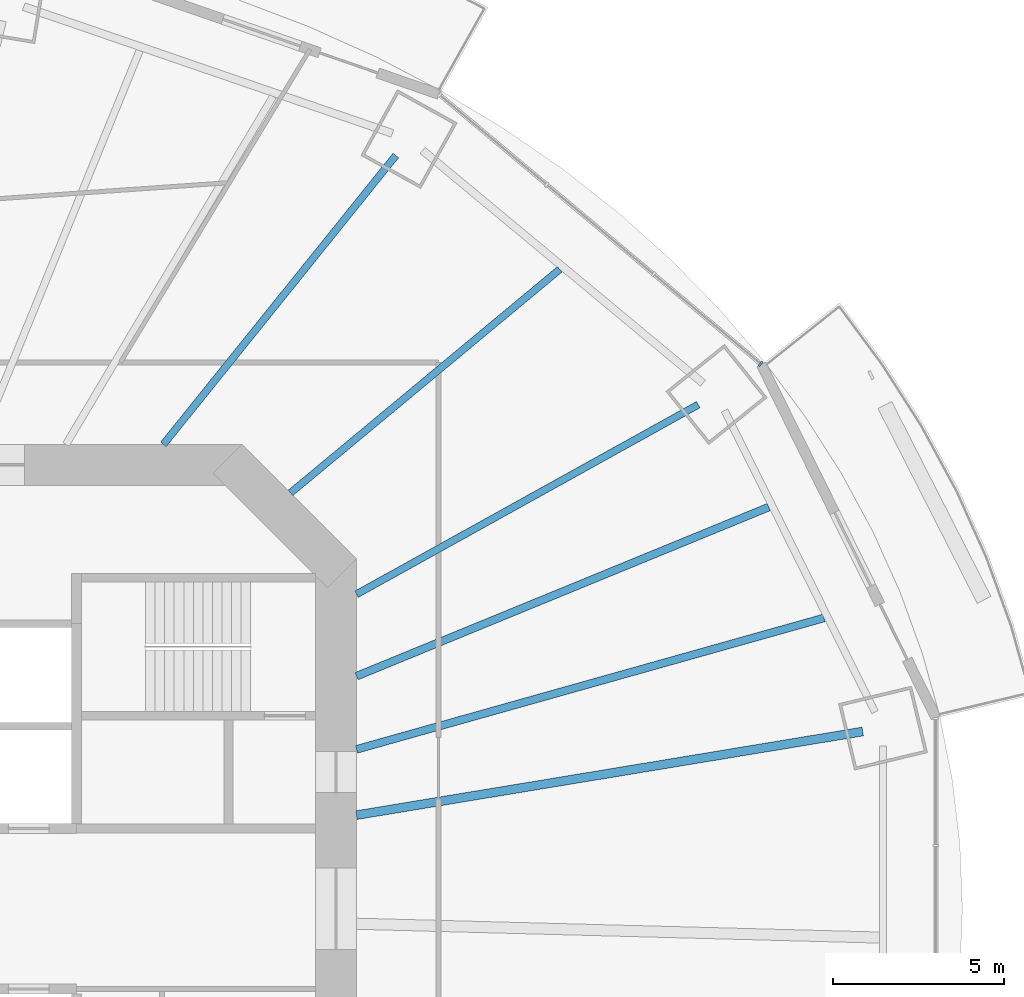
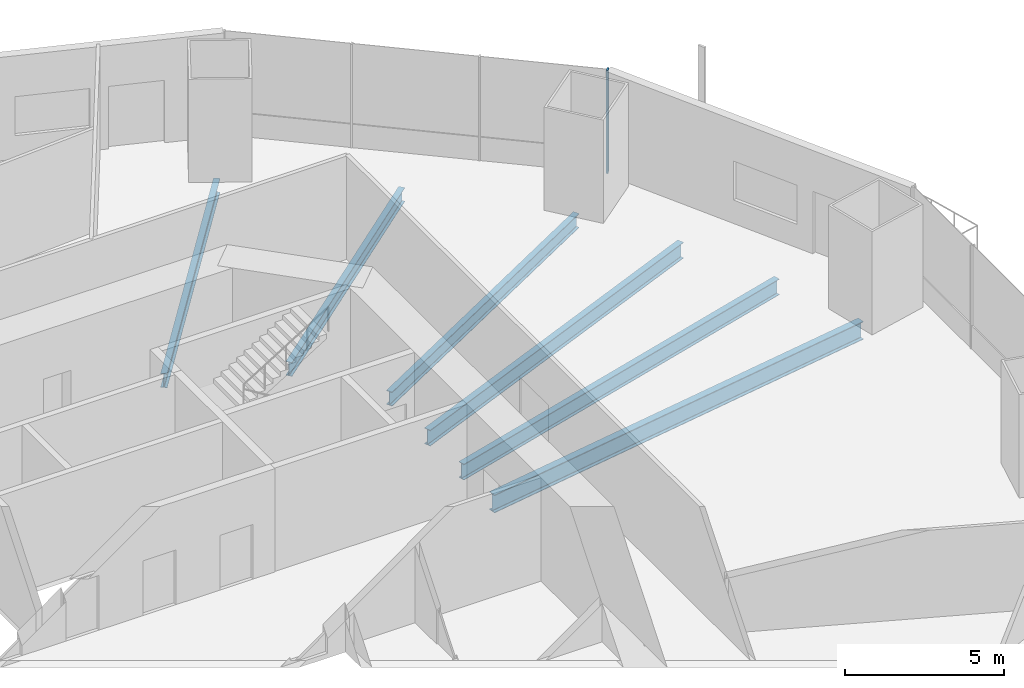
# One storey, part 8 of 22: 6 beams, 1 member, 1 element without a shape of its own.
"""IFC4 building model written with IfcOpenShell, lengths in metres."""

import ifcopenshell
import ifcopenshell.guid

model = None  # the IFC model being written
_history = None  # IfcOwnerHistory: only IFC2X3 demands one
_inside = {}  # id of a spatial element -> (the spatial element, [elements in it])
_under = {}  # id of a project, library or spatial element -> (it, [spatial elements below it])
_declared = {}  # id of a project -> (the project, [libraries it declares])
_typed = {}  # id of a type object -> (the type object, [elements of that type])
_made_of = {}  # id of a material, layer set ... -> (it, [elements and type objects made of it])


def new_model(schema):
    """Start an empty IFC model of exactly this schema.

    Asked for "IFC4X3", IfcOpenShell would pick the latest addendum, in which some entities
    have other attributes; the version numbers below select the first issue.
    IFC2X3 requires an IfcOwnerHistory on every rooted entity: one is made here for all.
    """
    global model, _history
    if schema == "IFC4X3":
        model = ifcopenshell.file(schema_version=(4, 3, 0, 0))
    else:
        model = ifcopenshell.file(schema=schema)
    _inside.clear()
    _under.clear()
    _declared.clear()
    _typed.clear()
    _made_of.clear()
    _history = None
    if model.schema == "IFC2X3":
        org = make("IfcOrganization", Name="unknown")
        user = make(
            "IfcPersonAndOrganization",
            ThePerson=make("IfcPerson", FamilyName="unknown"),
            TheOrganization=org,
        )
        app = make(
            "IfcApplication",
            ApplicationDeveloper=org,
            Version="unknown",
            ApplicationFullName="unknown",
            ApplicationIdentifier="unknown",
        )
        _history = make(
            "IfcOwnerHistory",
            OwningUser=user,
            OwningApplication=app,
            ChangeAction="ADDED",
            CreationDate=0,
        )
    return model


def make(cls, **values):
    """One entity of the class cls with the attributes given. An attribute that is None is left unset."""
    return model.create_entity(
        cls, **{name: value for name, value in values.items() if value is not None}
    )


def rooted(cls, **values):
    """An entity with a GlobalId (a new one), such as an element, a storey or a relation."""
    return make(cls, GlobalId=ifcopenshell.guid.new(), OwnerHistory=_history, **values)


def si_unit(unit_type, name, prefix=None):
    """IfcSIUnit, for example si_unit("LENGTHUNIT", "METRE", prefix="MILLI")."""
    return make("IfcSIUnit", UnitType=unit_type, Prefix=prefix, Name=name)


def assignment(units):
    """IfcUnitAssignment: the units of a project."""
    return None if units is None else make("IfcUnitAssignment", Units=units)


def point(xyz):
    """IfcCartesianPoint."""
    return None if xyz is None else make("IfcCartesianPoint", Coordinates=xyz)


def direction(xyz):
    """IfcDirection."""
    return None if xyz is None else make("IfcDirection", DirectionRatios=xyz)


def frame(location, z_axis=None, x_axis=None):
    """IfcAxis2Placement3D, a coordinate frame: its origin and axes. An axis left out is left unset."""
    return make(
        "IfcAxis2Placement3D",
        Location=point(location),
        Axis=direction(z_axis),
        RefDirection=direction(x_axis),
    )


def frame_2d(location, x_axis=None):
    """IfcAxis2Placement2D, a coordinate frame in the plane: its origin and x axis."""
    return make(
        "IfcAxis2Placement2D", Location=point(location), RefDirection=direction(x_axis)
    )


def origin():
    """The frame at (0, 0, 0) with its axes left unset."""
    return frame((0.0, 0.0, 0.0))


def origin_2d():
    """The frame at (0, 0) in the plane with its x axis left unset."""
    return frame_2d((0.0, 0.0))


def place(relative_to, where):
    """IfcLocalPlacement: puts the frame where relative to a parent placement (None: the world)."""
    return make(
        "IfcLocalPlacement", PlacementRelTo=relative_to, RelativePlacement=where
    )


def context(
    kind, dimensions, precision=None, world=None, true_north=None, identifier=None
):
    """IfcGeometricRepresentationContext, for example the 3D "Model" context."""
    return make(
        "IfcGeometricRepresentationContext",
        ContextIdentifier=identifier,
        ContextType=kind,
        CoordinateSpaceDimension=dimensions,
        Precision=precision,
        WorldCoordinateSystem=world,
        TrueNorth=true_north,
    )


def subcontext(parent, identifier, kind, view, scale=None):
    """IfcGeometricRepresentationSubContext, for example "Body" below "Model"."""
    return make(
        "IfcGeometricRepresentationSubContext",
        ContextIdentifier=identifier,
        ContextType=kind,
        ParentContext=parent,
        TargetScale=scale,
        TargetView=view,
    )


def project(units=None, contexts=None):
    """IfcProject with its units and contexts."""
    return rooted(
        "IfcProject",
        Name="project",
        RepresentationContexts=contexts,
        UnitsInContext=assignment(units),
    )


def spatial(cls, under=None, at=None, **own):
    """A site, building, storey or space (cls), placed at a placement, below another one or the project."""
    s = rooted(cls, ObjectPlacement=at, **own)
    if under is not None:
        _under.setdefault(under.id(), (under, []))[1].append(s)
    return s


def profile(cls, at=None, kind="AREA", **sizes):
    """A parametric profile (cls). Its sizes go by their IFC names, for example OverallWidth=200.0."""
    return make(cls, ProfileType=kind, Position=at, **sizes)


def rectangle(**sizes):
    """IfcRectangleProfileDef."""
    return profile("IfcRectangleProfileDef", **sizes)


def i_section(**sizes):
    """IfcIShapeProfileDef."""
    return profile("IfcIShapeProfileDef", **sizes)


def extrude(swept, where, along, depth):
    """IfcExtrudedAreaSolid: the profile swept, set in the frame where, extruded along a direction by depth."""
    return make(
        "IfcExtrudedAreaSolid",
        SweptArea=swept,
        Position=where,
        ExtrudedDirection=direction(along),
        Depth=depth,
    )


def shape(context_of_items, identifier, shape_type, items):
    """IfcShapeRepresentation: the items that make up one representation, for example the "Body"."""
    return make(
        "IfcShapeRepresentation",
        ContextOfItems=context_of_items,
        RepresentationIdentifier=identifier,
        RepresentationType=shape_type,
        Items=items,
    )


def material(Name=None, Category=None):
    """IfcMaterial."""
    return make("IfcMaterial", Name=Name, Category=Category)


def material_profile(
    of_material, cross_section, Name=None, Category=None, Priority=None
):
    """IfcMaterialProfile: a cross section and its material."""
    return make(
        "IfcMaterialProfile",
        Name=Name,
        Material=of_material,
        Profile=cross_section,
        Priority=Priority,
        Category=Category,
    )


def profile_set(profiles, Name=None, composite=None):
    """IfcMaterialProfileSet."""
    return make(
        "IfcMaterialProfileSet",
        Name=Name,
        MaterialProfiles=profiles,
        CompositeProfile=composite,
    )


def made_of(thing, what):
    """Note that an element or type object is made of a material, layer set ...; save() writes the relation."""
    if what is not None:
        _made_of.setdefault(what.id(), (what, []))[1].append(thing)
    return thing


def type_object(cls, material=None, **own):
    """A type object (cls), such as IfcWallType, which elements share."""
    return made_of(rooted(cls, **own), material)


def element(
    cls,
    number,
    at=None,
    inside=None,
    cuts=None,
    type_object=None,
    material=None,
    context=None,
    identifier="Body",
    shape_type=None,
    held_by="IfcProductDefinitionShape",
    body=None,
    shapes=None,
    **own,
):
    """One element of the class cls, such as IfcWall. Its Tag is "e" and its number.

    at: its placement. inside: the storey or other place that contains it. cuts: it is an
    opening in that element (IfcRelVoidsElement). A single representation is given by context,
    identifier, shape_type and body (its items); several are given by shapes. held_by: the class
    of the entity that holds the representations. save() writes the other relations.
    """
    e = rooted(cls, Tag="e%d" % number, ObjectPlacement=at, **own)
    if body is not None:
        shapes = [shape(context, identifier, shape_type, body)]
    if shapes is not None:
        e.Representation = make(held_by, Representations=shapes)
    if inside is not None:
        _inside.setdefault(inside.id(), (inside, []))[1].append(e)
    if cuts is not None:
        rooted(
            "IfcRelVoidsElement", RelatingBuildingElement=cuts, RelatedOpeningElement=e
        )
    if type_object is not None:
        _typed.setdefault(type_object.id(), (type_object, []))[1].append(e)
    return made_of(e, material)


def aggregate(whole, parts):
    """IfcRelAggregates: a whole, such as a stair, and the parts it consists of."""
    return rooted("IfcRelAggregates", RelatingObject=whole, RelatedObjects=parts)


def save(model, path):
    """Write the relations noted so far, then the file.

    IfcRelAggregates (storeys below a building ...), IfcRelContainedInSpatialStructure (elements
    in a storey), IfcRelDefinesByType, IfcRelAssociatesMaterial and IfcRelDeclares: one each for
    every whole, place, type object, material and project.
    """
    for whole, parts in _under.values():
        aggregate(whole, parts)
    for where, things in _inside.values():
        rooted(
            "IfcRelContainedInSpatialStructure",
            RelatedElements=things,
            RelatingStructure=where,
        )
    for kind, things in _typed.values():
        rooted("IfcRelDefinesByType", RelatedObjects=things, RelatingType=kind)
    for what, things in _made_of.values():
        rooted("IfcRelAssociatesMaterial", RelatedObjects=things, RelatingMaterial=what)
    for by, libraries in _declared.values():
        rooted("IfcRelDeclares", RelatingContext=by, RelatedDefinitions=libraries)
    model.write(path)


model = new_model("IFC4")

# Units and contexts
model_context = context("Model", 3, precision=1e-05, world=origin(), true_north=direction((0.0, 1.0)))
body_context = subcontext(model_context, "Body", "Model", "MODEL_VIEW")
ifc_project = project(units=[si_unit("LENGTHUNIT", "METRE"), si_unit("AREAUNIT", "SQUARE_METRE"), si_unit("VOLUMEUNIT", "CUBIC_METRE"), si_unit("PLANEANGLEUNIT", "RADIAN"), si_unit("MASSUNIT", "GRAM", prefix="KILO")], contexts=[model_context])

# Site, building, storey
site_placement = place(None, origin())
site = spatial("IfcSite", under=ifc_project, at=site_placement, CompositionType="ELEMENT")
building_placement = place(site_placement, origin())
building = spatial("IfcBuilding", under=site, at=building_placement, Name="Marenthal Gate Tower", CompositionType="ELEMENT")
storey_placement = place(building_placement, frame((0.0, 0.0, 107.699951171875)))
storey = spatial("IfcBuildingStorey", under=building, at=storey_placement, Name="L22", CompositionType="ELEMENT", Elevation=107.699951171875)

# Curtain wall, member
ifc_material_1 = material(Name="Aluminium and glass", Category="aluminium")
curtain_wall_type = type_object("IfcCurtainWallType", Name="Curtain wall typical low", PredefinedType="NOTDEFINED", material=ifc_material_1)
curtain_wall_placement = place(storey_placement, origin())
curtain_wall = element("IfcCurtainWall", 1, at=curtain_wall_placement, inside=storey, type_object=curtain_wall_type, Name="Curtain wall L22 bay 2", PredefinedType="NOTDEFINED")
ifc_material_2 = material(Name="Aluminium", Category="aluminium")
ifc_material_profile_1 = material_profile(ifc_material_2, rectangle(XDim=0.159912109375, YDim=0.06005859375, at=origin_2d()), Name="60x160 aluminium mullion")
ifc_profile_set_1 = profile_set([ifc_material_profile_1], Name="Aluminium")
member_type = type_object("IfcMemberType", Name="Mullion 60x160 typical low", PredefinedType="MULLION", material=ifc_profile_set_1)
member_placement = place(storey_placement, frame((28.434814453125, 15.95751953125, 0.0), z_axis=(0.0, 0.0, 1.0), x_axis=(-0.642377082487, -0.766388728972, 0.0)))
member = element("IfcMember", 2, at=member_placement, type_object=member_type, Name="Mullion L22 bay 2.1", PredefinedType="MULLION", context=body_context, shape_type="SweptSolid", body=[
    extrude(rectangle(XDim=0.159912109375, YDim=0.06005859375, at=origin_2d()), origin(), (0.0, 0.0, 1.0), 3.969970703125),
])
aggregate(curtain_wall, [member])

# Beams
ifc_material_3 = material(Name="Steel S355", Category="steel")
ifc_material_profile_2 = material_profile(ifc_material_3, i_section(OverallWidth=0.2099609375, OverallDepth=0.535888671875, WebThickness=0.010986328125, FlangeThickness=0.017333984375, FilletRadius=0.0126953125, at=origin_2d()), Name="W530X101")
ifc_profile_set_2 = profile_set([ifc_material_profile_2], Name="Steel S355")
beam_type_1 = type_object("IfcBeamType", Name="W530X101 beam", PredefinedType="BEAM", material=ifc_profile_set_2)
beam_1_placement = place(storey_placement, frame((22.551025390625, 18.7255859375, -0.447998046875), z_axis=(-0.769343150929, -0.638835750501, 0.0), x_axis=(0.638835750501, -0.769343150929, 0.0)))
element("IfcBeam", 3, at=beam_1_placement, inside=storey, type_object=beam_type_1, Name="BM-L22-19", PredefinedType="BEAM", context=body_context, shape_type="SweptSolid", body=[
    extrude(i_section(OverallWidth=0.2099609375, OverallDepth=0.535888671875, WebThickness=0.010986328125, FlangeThickness=0.017333984375, FilletRadius=0.0126953125, at=origin_2d()), origin(), (0.0, 0.0, 1.0), 10.245849609375),
])
ifc_material_4 = material(Name="Steel S355", Category="steel")
ifc_material_profile_3 = material_profile(ifc_material_4, i_section(OverallWidth=0.2119140625, OverallDepth=0.5439453125, WebThickness=0.01318359375, FlangeThickness=0.021240234375, FilletRadius=0.0126953125, at=origin_2d()), Name="W530X123")
ifc_profile_set_3 = profile_set([ifc_material_profile_3], Name="Steel S355")
beam_type_2 = type_object("IfcBeamType", Name="W530X123 beam", PredefinedType="BEAM", material=ifc_profile_set_3)
beam_2_placement = place(storey_placement, frame((26.605224609375, 14.761474609375, -0.451904296875), z_axis=(-0.87442184895, -0.485166394218, 0.0), x_axis=(0.485166394218, -0.87442184895, 0.0)))
element("IfcBeam", 4, at=beam_2_placement, inside=storey, type_object=beam_type_2, Name="BM-L22-02", PredefinedType="BEAM", context=body_context, shape_type="SweptSolid", body=[
    extrude(i_section(OverallWidth=0.2119140625, OverallDepth=0.5439453125, WebThickness=0.01318359375, FlangeThickness=0.021240234375, FilletRadius=0.0126953125, at=origin_2d()), origin(), (0.0, 0.0, 1.0), 11.44189453125),
])
beam_3_placement = place(storey_placement, frame((17.750732421875, 22.059326171875, -0.451904296875), z_axis=(-0.626924535124, -0.779079987716, 0.0), x_axis=(0.779079987716, -0.626924535124, 0.0)))
element("IfcBeam", 5, at=beam_3_placement, inside=storey, type_object=beam_type_2, Name="BM-L22-03", PredefinedType="BEAM", context=body_context, shape_type="SweptSolid", body=[
    extrude(i_section(OverallWidth=0.2119140625, OverallDepth=0.5439453125, WebThickness=0.01318359375, FlangeThickness=0.021240234375, FilletRadius=0.0126953125, at=origin_2d()), origin(), (0.0, 0.0, 1.0), 10.85791015625),
])
ifc_material_5 = material(Name="Steel S355", Category="steel")
ifc_material_profile_4 = material_profile(ifc_material_5, i_section(OverallWidth=0.22900390625, OverallDepth=0.612060546875, WebThickness=0.011962890625, FlangeThickness=0.01953125, FilletRadius=0.0126953125, at=origin_2d()), Name="W610X125")
ifc_profile_set_4 = profile_set([ifc_material_profile_4], Name="Steel S355")
beam_type_3 = type_object("IfcBeamType", Name="W610X125 beam", PredefinedType="BEAM", material=ifc_profile_set_4)
beam_4_placement = place(storey_placement, frame((30.2900390625, 8.5166015625, -0.48583984375), z_axis=(-0.962672470775, -0.270669011917, 0.0), x_axis=(0.270669011917, -0.962672470775, 0.0)))
element("IfcBeam", 6, at=beam_4_placement, inside=storey, type_object=beam_type_3, Name="BM-L22-17", PredefinedType="BEAM", context=body_context, shape_type="SweptSolid", body=[
    extrude(i_section(OverallWidth=0.22900390625, OverallDepth=0.612060546875, WebThickness=0.011962890625, FlangeThickness=0.01953125, FilletRadius=0.0126953125, at=origin_2d()), origin(), (0.0, 0.0, 1.0), 14.220703125),
])
beam_5_placement = place(storey_placement, frame((28.670654296875, 11.7626953125, -0.48583984375), z_axis=(-0.925165248612, -0.379564569949, 0.0), x_axis=(0.379564569949, -0.925165248612, 0.0)))
element("IfcBeam", 7, at=beam_5_placement, inside=storey, type_object=beam_type_3, Name="BM-L22-18", PredefinedType="BEAM", context=body_context, shape_type="SweptSolid", body=[
    extrude(i_section(OverallWidth=0.22900390625, OverallDepth=0.612060546875, WebThickness=0.011962890625, FlangeThickness=0.01953125, FilletRadius=0.0126953125, at=origin_2d()), origin(), (0.0, 0.0, 1.0), 13.046875),
])
ifc_material_6 = material(Name="Steel S355", Category="steel")
ifc_material_profile_5 = material_profile(ifc_material_6, i_section(OverallWidth=0.257080078125, OverallDepth=0.693115234375, WebThickness=0.014404296875, FlangeThickness=0.023681640625, FilletRadius=0.015380859375, at=origin_2d()), Name="W690X170")
ifc_profile_set_5 = profile_set([ifc_material_profile_5], Name="Steel S355")
beam_type_4 = type_object("IfcBeamType", Name="W690X170 beam", PredefinedType="BEAM", material=ifc_profile_set_5)
beam_6_placement = place(storey_placement, frame((31.423828125, 5.190185546875, -0.5263671875), z_axis=(-0.986631792526, -0.162965352074, 0.0), x_axis=(0.162965352074, -0.986631792526, 0.0)))
element("IfcBeam", 8, at=beam_6_placement, inside=storey, type_object=beam_type_4, Name="BM-L22-01", PredefinedType="BEAM", context=body_context, shape_type="SweptSolid", body=[
    extrude(i_section(OverallWidth=0.257080078125, OverallDepth=0.693115234375, WebThickness=0.014404296875, FlangeThickness=0.023681640625, FilletRadius=0.015380859375, at=origin_2d()), origin(), (0.0, 0.0, 1.0), 15.024658203125),
])

save(model, "model.ifc")
